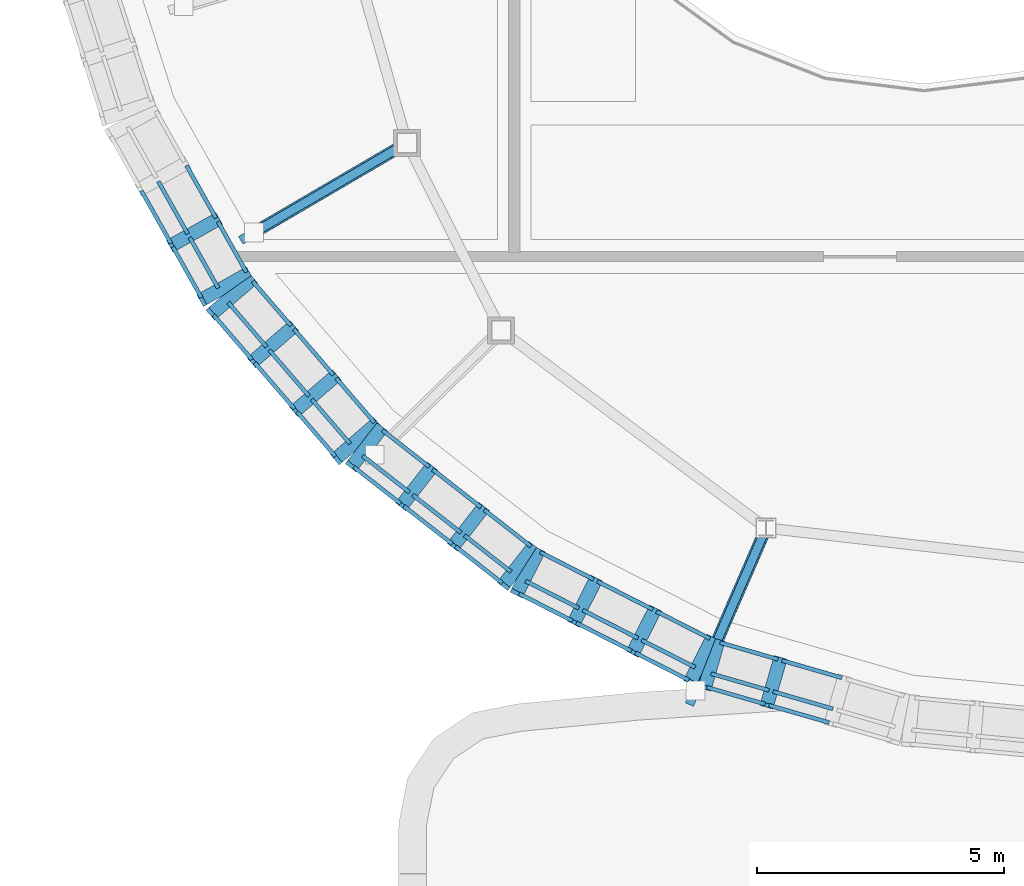
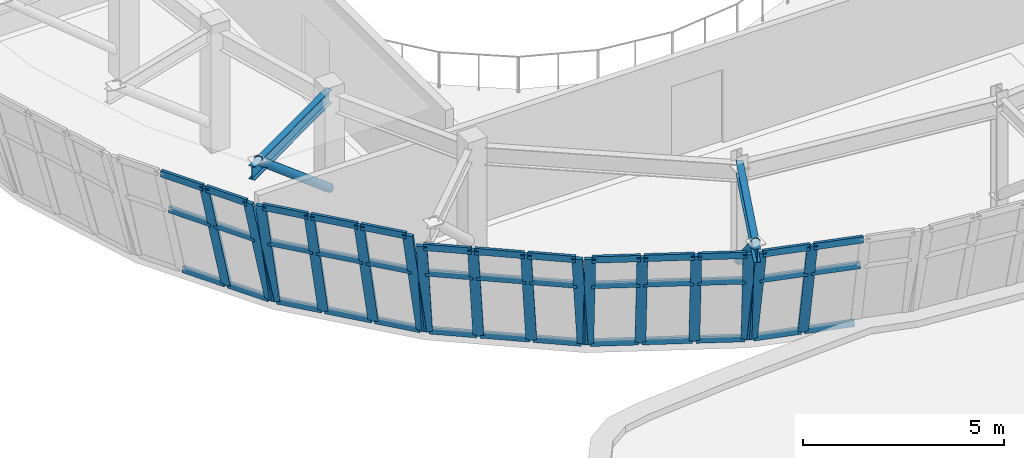
# One storey, part 18 of 111: 57 members, 2 beams, 5 elements without a shape of their own.
"""IFC4 building model written with IfcOpenShell, lengths in metres."""

from ifc_helpers import new_model, si_unit, direction, frame, origin, origin_2d, place, context, subcontext, project, spatial, rectangle, hollow_circle, i_section, extrude, material, material_profile, profile_set, type_object, element, aggregate, save


model = new_model("IFC4")

# Units and contexts
model_context = context("Model", 3, precision=1e-05, world=origin(), true_north=direction((0.0, 1.0)))
body_context = subcontext(model_context, "Body", "Model", "MODEL_VIEW")
ifc_project = project(units=[si_unit("LENGTHUNIT", "METRE"), si_unit("AREAUNIT", "SQUARE_METRE"), si_unit("VOLUMEUNIT", "CUBIC_METRE"), si_unit("PLANEANGLEUNIT", "RADIAN"), si_unit("MASSUNIT", "GRAM", prefix="KILO")], contexts=[model_context])

# Site, building, storey
site_placement = place(None, origin())
site = spatial("IfcSite", under=ifc_project, at=site_placement, CompositionType="ELEMENT")
building_placement = place(site_placement, origin())
building = spatial("IfcBuilding", under=site, at=building_placement, Name="Corveleigh Park Community Centre", CompositionType="ELEMENT")
storey_placement = place(building_placement, frame((0.0, 0.0, 4.800048828125)))
storey = spatial("IfcBuildingStorey", under=building, at=storey_placement, Name="L01", CompositionType="ELEMENT", Elevation=4.800048828125)

# Beams
ifc_material_1 = material(Name="Steel S355", Category="steel")
ifc_material_profile_1 = material_profile(ifc_material_1, i_section(OverallWidth=0.1787109375, OverallDepth=0.409423828125, WebThickness=0.0087890625, FlangeThickness=0.014404296875, at=origin_2d()), Name="UKB 406x178x67", Category="steel")
ifc_profile_set_1 = profile_set([ifc_material_profile_1], Name="Steel S355")
beam_type = type_object("IfcBeamType", Name="BM-STL-UKB406x67", PredefinedType="BEAM", material=ifc_profile_set_1)
beam_1_placement = place(storey_placement, frame((23.99609375, 11.390869140625, 3.482177734375), z_axis=(-0.398255557159, -0.917274501549, 0.0), x_axis=(0.917274501549, -0.398255557159, 0.0)))
element("IfcBeam", 1, at=beam_1_placement, inside=storey, type_object=beam_type, Name="V1 Drum Overhang Radial Outrigger 1", PredefinedType="BEAM", context=body_context, shape_type="SweptSolid", body=[
    extrude(i_section(OverallWidth=0.1787109375, OverallDepth=0.409423828125, WebThickness=0.0087890625, FlangeThickness=0.014404296875, at=origin_2d()), origin(), (0.0, 0.0, 1.0), 3.8896484375),
])
beam_2_placement = place(storey_placement, frame((16.71630859375, 19.19482421875, 3.482177734375), z_axis=(-0.862768775494, -0.505598694652, 0.0), x_axis=(0.505598694652, -0.862768775494, 0.0)))
element("IfcBeam", 2, at=beam_2_placement, inside=storey, type_object=beam_type, Name="V1 Drum Overhang Radial Outrigger 19", PredefinedType="BEAM", context=body_context, shape_type="SweptSolid", body=[
    extrude(i_section(OverallWidth=0.1787109375, OverallDepth=0.409423828125, WebThickness=0.0087890625, FlangeThickness=0.014404296875, at=origin_2d()), origin(), (0.0, 0.0, 1.0), 3.89013671875),
])

# Curtain wall, members
ifc_material_2 = material(Name="Anodised aluminium 6063-T6", Category="aluminium")
curtain_wall_type = type_object("IfcCurtainWallType", Name="CW-SYS-V1-DRUM", PredefinedType="NOTDEFINED", material=ifc_material_2)
curtain_wall_1_placement = place(storey_placement, origin())
curtain_wall_1 = element("IfcCurtainWall", 3, at=curtain_wall_1_placement, inside=storey, type_object=curtain_wall_type, Name="Main Hall Flared Drum CW 180", PredefinedType="NOTDEFINED")
ifc_material_profile_2 = material_profile(ifc_material_2, rectangle(XDim=0.0849609375, YDim=0.27490234375, at=origin_2d()), Name="ALU-M85x275", Category="aluminium")
ifc_profile_set_2 = profile_set([ifc_material_profile_2], Name="Anodised aluminium 6063-T6")
member_type_1 = type_object("IfcMemberType", Name="CWM-85x275", PredefinedType="MULLION", material=ifc_profile_set_2)
member_1_placement = place(storey_placement, frame((12.887939453125, 17.64892578125, 0.0), z_axis=(-0.247693281715, -0.138946728414, 0.958823156195), x_axis=(0.836235497404, 0.469097045116, 0.284003794242)))
member_1 = element("IfcMember", 4, at=member_1_placement, type_object=member_type_1, Name="CW02 mullion 3", PredefinedType="MULLION", context=body_context, shape_type="SweptSolid", body=[
    extrude(rectangle(XDim=0.0849609375, YDim=0.27490234375, at=origin_2d()), origin(), (0.0, 0.0, 1.0), 3.76708984375),
])
member_2_placement = place(storey_placement, frame((13.505126953125, 16.549072265625, 0.0), z_axis=(-0.247691050808, -0.139010283617, 0.958814520331), x_axis=(0.836134602223, 0.469259215534, 0.284032948092)))
member_2 = element("IfcMember", 5, at=member_2_placement, type_object=member_type_1, Name="CW02 mullion 4", PredefinedType="MULLION", context=body_context, shape_type="SweptSolid", body=[
    extrude(rectangle(XDim=0.0849609375, YDim=0.27490234375, at=origin_2d()), origin(), (0.0, 0.0, 1.0), 3.767333984375),
])

curtain_wall_2_placement = place(storey_placement, origin())
curtain_wall_2 = element("IfcCurtainWall", 6, at=curtain_wall_2_placement, inside=storey, type_object=curtain_wall_type, Name="Main Hall Flared Drum CW 181", PredefinedType="NOTDEFINED")
member_3_placement = place(storey_placement, frame((13.583740234375, 16.436767578125, 0.0), z_axis=(-0.215158554377, -0.185412236166, 0.95881650964), x_axis=(0.726332818597, 0.625915118676, 0.284026232665)))
member_3 = element("IfcMember", 7, at=member_3_placement, type_object=member_type_1, Name="CW02 mullion 1", PredefinedType="MULLION", context=body_context, shape_type="SweptSolid", body=[
    extrude(rectangle(XDim=0.0849609375, YDim=0.27490234375, at=origin_2d()), origin(), (0.0, 0.0, 1.0), 3.76708984375),
])
member_4_placement = place(storey_placement, frame((14.415283203125, 15.471923828125, 0.0), z_axis=(-0.215158554377, -0.185412236166, 0.95881650964), x_axis=(0.726332818597, 0.625915118676, 0.284026232665)))
member_4 = element("IfcMember", 8, at=member_4_placement, type_object=member_type_1, Name="CW02 mullion 2", PredefinedType="MULLION", context=body_context, shape_type="SweptSolid", body=[
    extrude(rectangle(XDim=0.0849609375, YDim=0.27490234375, at=origin_2d()), origin(), (0.0, 0.0, 1.0), 3.76708984375),
])
member_5_placement = place(storey_placement, frame((15.274658203125, 14.47509765625, 0.0), z_axis=(-0.215155968632, -0.185474813923, 0.958804986721), x_axis=(0.726215908551, 0.626033111528, 0.284065128867)))
member_5 = element("IfcMember", 9, at=member_5_placement, type_object=member_type_1, Name="CW02 mullion 3", PredefinedType="MULLION", context=body_context, shape_type="SweptSolid", body=[
    extrude(rectangle(XDim=0.0849609375, YDim=0.27490234375, at=origin_2d()), origin(), (0.0, 0.0, 1.0), 3.767333984375),
])
member_6_placement = place(storey_placement, frame((16.106201171875, 13.51025390625, 0.0), z_axis=(-0.215155968632, -0.185474813923, 0.958804986721), x_axis=(0.726215908551, 0.626033111528, 0.284065128867)))
member_6 = element("IfcMember", 10, at=member_6_placement, type_object=member_type_1, Name="CW02 mullion 4", PredefinedType="MULLION", context=body_context, shape_type="SweptSolid", body=[
    extrude(rectangle(XDim=0.0849609375, YDim=0.27490234375, at=origin_2d()), origin(), (0.0, 0.0, 1.0), 3.767333984375),
])

curtain_wall_3_placement = place(storey_placement, origin())
curtain_wall_3 = element("IfcCurtainWall", 11, at=curtain_wall_3_placement, inside=storey, type_object=curtain_wall_type, Name="Main Hall Flared Drum CW 182", PredefinedType="NOTDEFINED")
member_7_placement = place(storey_placement, frame((16.20458984375, 13.415771484375, 0.0), z_axis=(-0.174897080386, -0.223638889674, 0.958851739477), x_axis=(0.59068711366, 0.755304833861, 0.283907276592)))
member_7 = element("IfcMember", 12, at=member_7_placement, type_object=member_type_1, Name="CW02 mullion 1", PredefinedType="MULLION", context=body_context, shape_type="SweptSolid", body=[
    extrude(rectangle(XDim=0.0849609375, YDim=0.27490234375, at=origin_2d()), origin(), (0.0, 0.0, 1.0), 3.406005859375),
])
member_8_placement = place(storey_placement, frame((17.21826171875, 12.623291015625, 0.0), z_axis=(-0.17482759254, -0.223641692795, 0.958863757856), x_axis=(0.590544266874, 0.755431780503, 0.283866683268)))
member_8 = element("IfcMember", 13, at=member_8_placement, type_object=member_type_1, Name="CW02 mullion 2", PredefinedType="MULLION", context=body_context, shape_type="SweptSolid", body=[
    extrude(rectangle(XDim=0.0849609375, YDim=0.27490234375, at=origin_2d()), origin(), (0.0, 0.0, 1.0), 3.406005859375),
])
member_9_placement = place(storey_placement, frame((18.265625, 11.8046875, 0.0), z_axis=(-0.17482478956, -0.223709786067, 0.95884838456), x_axis=(0.59041733402, 0.755511479901, 0.283918607045)))
member_9 = element("IfcMember", 14, at=member_9_placement, type_object=member_type_1, Name="CW02 mullion 3", PredefinedType="MULLION", context=body_context, shape_type="SweptSolid", body=[
    extrude(rectangle(XDim=0.0849609375, YDim=0.27490234375, at=origin_2d()), origin(), (0.0, 0.0, 1.0), 3.406005859375),
])
member_10_placement = place(storey_placement, frame((19.279541015625, 11.01220703125, 0.0), z_axis=(-0.17482478956, -0.223709786067, 0.95884838456), x_axis=(0.59041733402, 0.755511479901, 0.283918607045)))
member_10 = element("IfcMember", 15, at=member_10_placement, type_object=member_type_1, Name="CW02 mullion 4", PredefinedType="MULLION", context=body_context, shape_type="SweptSolid", body=[
    extrude(rectangle(XDim=0.0849609375, YDim=0.27490234375, at=origin_2d()), origin(), (0.0, 0.0, 1.0), 3.406005859375),
])

curtain_wall_4_placement = place(storey_placement, origin())
curtain_wall_4 = element("IfcCurtainWall", 16, at=curtain_wall_4_placement, inside=storey, type_object=curtain_wall_type, Name="Main Hall Flared Drum CW 183", PredefinedType="NOTDEFINED")
member_11_placement = place(storey_placement, frame((19.392822265625, 10.940673828125, 0.0), z_axis=(-0.128809036941, -0.252958871099, 0.958863932753), x_axis=(0.43510071475, 0.85446322891, 0.283866092489)))
member_11 = element("IfcMember", 17, at=member_11_placement, type_object=member_type_1, Name="CW02 mullion 1", PredefinedType="MULLION", context=body_context, shape_type="SweptSolid", body=[
    extrude(rectangle(XDim=0.0849609375, YDim=0.27490234375, at=origin_2d()), origin(), (0.0, 0.0, 1.0), 3.406005859375),
])
member_12_placement = place(storey_placement, frame((20.55078125, 10.35107421875, 0.0), z_axis=(-0.128877189627, -0.253023625909, 0.958837689458), x_axis=(0.435183134097, 0.854391803872, 0.283954723987)))
member_12 = element("IfcMember", 18, at=member_12_placement, type_object=member_type_1, Name="CW02 mullion 2", PredefinedType="MULLION", context=body_context, shape_type="SweptSolid", body=[
    extrude(rectangle(XDim=0.0849609375, YDim=0.27490234375, at=origin_2d()), origin(), (0.0, 0.0, 1.0), 3.406005859375),
])
member_13_placement = place(storey_placement, frame((21.746337890625, 9.741943359375, 0.0), z_axis=(-0.128879526709, -0.252956534902, 0.958855077186), x_axis=(0.435288932885, 0.854357421664, 0.283896003766)))
member_13 = element("IfcMember", 19, at=member_13_placement, type_object=member_type_1, Name="CW02 mullion 3", PredefinedType="MULLION", context=body_context, shape_type="SweptSolid", body=[
    extrude(rectangle(XDim=0.0849609375, YDim=0.27490234375, at=origin_2d()), origin(), (0.0, 0.0, 1.0), 3.406005859375),
])
member_14_placement = place(storey_placement, frame((22.904052734375, 9.15234375, 0.0), z_axis=(-0.128806701095, -0.25302596264, 0.958846544544), x_axis=(0.434994939137, 0.854497571037, 0.283924821065)))
member_14 = element("IfcMember", 20, at=member_14_placement, type_object=member_type_1, Name="CW02 mullion 4", PredefinedType="MULLION", context=body_context, shape_type="SweptSolid", body=[
    extrude(rectangle(XDim=0.0849609375, YDim=0.27490234375, at=origin_2d()), origin(), (0.0, 0.0, 1.0), 3.406005859375),
])

curtain_wall_5_placement = place(storey_placement, origin())
curtain_wall_5 = element("IfcCurtainWall", 21, at=curtain_wall_5_placement, inside=storey, type_object=curtain_wall_type, Name="Main Hall Flared Drum CW 184", PredefinedType="NOTDEFINED")
member_15_placement = place(storey_placement, frame((23.02880859375, 9.103271484375, 0.0), z_axis=(-0.078774265043, -0.272806963379, 0.958838347115), x_axis=(0.266001479913, 0.921202577386, 0.283952503249)))
member_15 = element("IfcMember", 22, at=member_15_placement, type_object=member_type_1, Name="CW02 mullion 1", PredefinedType="MULLION", context=body_context, shape_type="SweptSolid", body=[
    extrude(rectangle(XDim=0.0849609375, YDim=0.27490234375, at=origin_2d()), origin(), (0.0, 0.0, 1.0), 3.406005859375),
])
member_16_placement = place(storey_placement, frame((24.284912109375, 8.740234375, 0.0), z_axis=(-0.078775805261, -0.27274061785, 0.958857094608), x_axis=(0.266071208259, 0.92120195398, 0.283889189861)))
member_16 = element("IfcMember", 23, at=member_16_placement, type_object=member_type_1, Name="CW02 mullion 2", PredefinedType="MULLION", context=body_context, shape_type="SweptSolid", body=[
    extrude(rectangle(XDim=0.0849609375, YDim=0.27490234375, at=origin_2d()), origin(), (0.0, 0.0, 1.0), 3.406005859375),
])

# Member
ifc_material_profile_3 = material_profile(ifc_material_2, rectangle(XDim=0.080078125, YDim=0.195068359375, at=origin_2d()), Name="ALU-T80x195", Category="aluminium")
ifc_profile_set_3 = profile_set([ifc_material_profile_3], Name="Anodised aluminium 6063-T6")
member_type_2 = type_object("IfcMemberType", Name="CWT-80x195", PredefinedType="USERDEFINED", material=ifc_profile_set_3)
member_17_placement = place(storey_placement, frame((12.260498046875, 18.7431640625, 0.0400390625), z_axis=(0.489329007134, -0.872099261998, 0.0), x_axis=(0.872099261998, 0.489329007134, 0.0)))
member_17 = element("IfcMember", 24, at=member_17_placement, type_object=member_type_2, Name="CW02 transom 2.1", ObjectType="TRANSOM", PredefinedType="USERDEFINED", context=body_context, shape_type="SweptSolid", body=[
    extrude(rectangle(XDim=0.080078125, YDim=0.195068359375, at=origin_2d()), origin(), (0.0, 0.0, 1.0), 1.218994140625),
])

member_18_placement = place(storey_placement, frame((11.689453125, 18.4228515625, 2.25), z_axis=(0.489329007134, -0.872099261998, 0.0), x_axis=(0.872099261998, 0.489329007134, 0.0)))
member_18 = element("IfcMember", 25, at=member_18_placement, type_object=member_type_2, Name="CW02 transom 2.2", ObjectType="TRANSOM", PredefinedType="USERDEFINED", context=body_context, shape_type="SweptSolid", body=[
    extrude(rectangle(XDim=0.080078125, YDim=0.195068359375, at=origin_2d()), origin(), (0.0, 0.0, 1.0), 1.218994140625),
])

member_19_placement = place(storey_placement, frame((11.347900390625, 18.231201171875, 3.572021484375), z_axis=(0.489329007134, -0.872099261998, 0.0), x_axis=(0.872099261998, 0.489329007134, 0.0)))
member_19 = element("IfcMember", 26, at=member_19_placement, type_object=member_type_2, Name="CW02 transom 2.3", ObjectType="TRANSOM", PredefinedType="USERDEFINED", context=body_context, shape_type="SweptSolid", body=[
    extrude(rectangle(XDim=0.080078125, YDim=0.195068359375, at=origin_2d()), origin(), (0.0, 0.0, 1.0), 1.218994140625),
])

member_20_placement = place(storey_placement, frame((12.8984375, 17.606201171875, 0.0400390625), z_axis=(0.489374177373, -0.872073915743, 0.0), x_axis=(0.872073915743, 0.489374177373, 0.0)))
member_20 = element("IfcMember", 27, at=member_20_placement, type_object=member_type_2, Name="CW02 transom 3.1", ObjectType="TRANSOM", PredefinedType="USERDEFINED", context=body_context, shape_type="SweptSolid", body=[
    extrude(rectangle(XDim=0.080078125, YDim=0.195068359375, at=origin_2d()), origin(), (0.0, 0.0, 1.0), 1.17626953125),
])

member_21_placement = place(storey_placement, frame((12.32763671875, 17.285888671875, 2.25), z_axis=(0.489216318136, -0.872162481462, 0.0), x_axis=(0.872162481462, 0.489216318136, 0.0)))
member_21 = element("IfcMember", 28, at=member_21_placement, type_object=member_type_2, Name="CW02 transom 3.2", ObjectType="TRANSOM", PredefinedType="USERDEFINED", context=body_context, shape_type="SweptSolid", body=[
    extrude(rectangle(XDim=0.080078125, YDim=0.195068359375, at=origin_2d()), origin(), (0.0, 0.0, 1.0), 1.17626953125),
])

member_22_placement = place(storey_placement, frame((11.986083984375, 17.09423828125, 3.572021484375), z_axis=(0.489216318136, -0.872162481462, 0.0), x_axis=(0.872162481462, 0.489216318136, 0.0)))
member_22 = element("IfcMember", 29, at=member_22_placement, type_object=member_type_2, Name="CW02 transom 3.3", ObjectType="TRANSOM", PredefinedType="USERDEFINED", context=body_context, shape_type="SweptSolid", body=[
    extrude(rectangle(XDim=0.080078125, YDim=0.195068359375, at=origin_2d()), origin(), (0.0, 0.0, 1.0), 1.17626953125),
])

aggregate(curtain_wall_1, [member_1, member_2, member_17, member_18, member_19, member_20, member_21, member_22])

member_23_placement = place(storey_placement, frame((13.6025390625, 16.39697265625, 0.0400390625), z_axis=(0.652801498532, -0.757529011665, 0.0), x_axis=(0.757529011665, 0.652801498532, 0.0)))
member_23 = element("IfcMember", 30, at=member_23_placement, type_object=member_type_2, Name="CW02 transom 1.1", ObjectType="TRANSOM", PredefinedType="USERDEFINED", context=body_context, shape_type="SweptSolid", body=[
    extrude(rectangle(XDim=0.080078125, YDim=0.195068359375, at=origin_2d()), origin(), (0.0, 0.0, 1.0), 1.18896484375),
])

member_24_placement = place(storey_placement, frame((13.106689453125, 15.969482421875, 2.25), z_axis=(0.652903056382, -0.757441482207, 0.0), x_axis=(0.757441482207, 0.652903056382, 0.0)))
member_24 = element("IfcMember", 31, at=member_24_placement, type_object=member_type_2, Name="CW02 transom 1.2", ObjectType="TRANSOM", PredefinedType="USERDEFINED", context=body_context, shape_type="SweptSolid", body=[
    extrude(rectangle(XDim=0.080078125, YDim=0.195068359375, at=origin_2d()), origin(), (0.0, 0.0, 1.0), 1.188720703125),
])

member_25_placement = place(storey_placement, frame((12.81005859375, 15.7138671875, 3.572021484375), z_axis=(0.652801498532, -0.757529011665, 0.0), x_axis=(0.757529011665, 0.652801498532, 0.0)))
member_25 = element("IfcMember", 32, at=member_25_placement, type_object=member_type_2, Name="CW02 transom 1.3", ObjectType="TRANSOM", PredefinedType="USERDEFINED", context=body_context, shape_type="SweptSolid", body=[
    extrude(rectangle(XDim=0.080078125, YDim=0.195068359375, at=origin_2d()), origin(), (0.0, 0.0, 1.0), 1.18896484375),
])

member_26_placement = place(storey_placement, frame((14.43408203125, 15.43212890625, 0.0400390625), z_axis=(0.65292785518, -0.757420105311, 0.0), x_axis=(0.757420105311, 0.65292785518, 0.0)))
member_26 = element("IfcMember", 33, at=member_26_placement, type_object=member_type_2, Name="CW02 transom 2.1", ObjectType="TRANSOM", PredefinedType="USERDEFINED", context=body_context, shape_type="SweptSolid", body=[
    extrude(rectangle(XDim=0.080078125, YDim=0.195068359375, at=origin_2d()), origin(), (0.0, 0.0, 1.0), 1.231201171875),
])

member_27_placement = place(storey_placement, frame((13.938232421875, 15.004638671875, 2.25), z_axis=(0.65281408421, -0.75751816576, 0.0), x_axis=(0.75751816576, 0.65281408421, 0.0)))
member_27 = element("IfcMember", 34, at=member_27_placement, type_object=member_type_2, Name="CW02 transom 2.2", ObjectType="TRANSOM", PredefinedType="USERDEFINED", context=body_context, shape_type="SweptSolid", body=[
    extrude(rectangle(XDim=0.080078125, YDim=0.195068359375, at=origin_2d()), origin(), (0.0, 0.0, 1.0), 1.231201171875),
])

member_28_placement = place(storey_placement, frame((13.6416015625, 14.7490234375, 3.572021484375), z_axis=(0.65281408421, -0.75751816576, 0.0), x_axis=(0.75751816576, 0.65281408421, 0.0)))
member_28 = element("IfcMember", 35, at=member_28_placement, type_object=member_type_2, Name="CW02 transom 2.3", ObjectType="TRANSOM", PredefinedType="USERDEFINED", context=body_context, shape_type="SweptSolid", body=[
    extrude(rectangle(XDim=0.080078125, YDim=0.195068359375, at=origin_2d()), origin(), (0.0, 0.0, 1.0), 1.231201171875),
])

member_29_placement = place(storey_placement, frame((15.29345703125, 14.43505859375, 0.0400390625), z_axis=(0.652903056382, -0.757441482207, 0.0), x_axis=(0.757441482207, 0.652903056382, 0.0)))
member_29 = element("IfcMember", 36, at=member_29_placement, type_object=member_type_2, Name="CW02 transom 3.1", ObjectType="TRANSOM", PredefinedType="USERDEFINED", context=body_context, shape_type="SweptSolid", body=[
    extrude(rectangle(XDim=0.080078125, YDim=0.195068359375, at=origin_2d()), origin(), (0.0, 0.0, 1.0), 1.188720703125),
])

member_30_placement = place(storey_placement, frame((14.797607421875, 14.007568359375, 2.25), z_axis=(0.652903056382, -0.757441482207, 0.0), x_axis=(0.757441482207, 0.652903056382, 0.0)))
member_30 = element("IfcMember", 37, at=member_30_placement, type_object=member_type_2, Name="CW02 transom 3.2", ObjectType="TRANSOM", PredefinedType="USERDEFINED", context=body_context, shape_type="SweptSolid", body=[
    extrude(rectangle(XDim=0.080078125, YDim=0.195068359375, at=origin_2d()), origin(), (0.0, 0.0, 1.0), 1.188720703125),
])

member_31_placement = place(storey_placement, frame((14.5009765625, 13.751953125, 3.572021484375), z_axis=(0.652903056382, -0.757441482207, 0.0), x_axis=(0.757441482207, 0.652903056382, 0.0)))
member_31 = element("IfcMember", 38, at=member_31_placement, type_object=member_type_2, Name="CW02 transom 3.3", ObjectType="TRANSOM", PredefinedType="USERDEFINED", context=body_context, shape_type="SweptSolid", body=[
    extrude(rectangle(XDim=0.080078125, YDim=0.195068359375, at=origin_2d()), origin(), (0.0, 0.0, 1.0), 1.188720703125),
])

aggregate(curtain_wall_2, [member_3, member_4, member_5, member_6, member_23, member_24, member_25, member_26, member_27, member_28, member_29, member_30, member_31])

member_32_placement = place(storey_placement, frame((16.230712890625, 13.38037109375, 0.0400390625), z_axis=(0.787796412937, -0.615935720481, 0.0), x_axis=(0.615935720481, 0.787796412937, 0.0)))
member_32 = element("IfcMember", 39, at=member_32_placement, type_object=member_type_2, Name="CW02 transom 1.1", ObjectType="TRANSOM", PredefinedType="USERDEFINED", context=body_context, shape_type="SweptSolid", body=[
    extrude(rectangle(XDim=0.080078125, YDim=0.195068359375, at=origin_2d()), origin(), (0.0, 0.0, 1.0), 1.201904296875),
])

member_33_placement = place(storey_placement, frame((15.82763671875, 12.86474609375, 2.25), z_axis=(0.787972015739, -0.61571105432, 0.0), x_axis=(0.61571105432, 0.787972015739, 0.0)))
member_33 = element("IfcMember", 40, at=member_33_placement, type_object=member_type_2, Name="CW02 transom 1.2", ObjectType="TRANSOM", PredefinedType="USERDEFINED", context=body_context, shape_type="SweptSolid", body=[
    extrude(rectangle(XDim=0.080078125, YDim=0.195068359375, at=origin_2d()), origin(), (0.0, 0.0, 1.0), 1.201904296875),
])

member_34_placement = place(storey_placement, frame((15.649658203125, 12.63720703125, 3.225830078125), z_axis=(0.787873462952, -0.615837158977, 0.0), x_axis=(0.615837158977, 0.787873462952, 0.0)))
member_34 = element("IfcMember", 41, at=member_34_placement, type_object=member_type_2, Name="CW02 transom 1.3", ObjectType="TRANSOM", PredefinedType="USERDEFINED", context=body_context, shape_type="SweptSolid", body=[
    extrude(rectangle(XDim=0.080078125, YDim=0.195068359375, at=origin_2d()), origin(), (0.0, 0.0, 1.0), 1.201904296875),
])

member_35_placement = place(storey_placement, frame((17.24462890625, 12.587890625, 0.0400390625), z_axis=(0.787807166322, -0.615921966398, 0.0), x_axis=(0.615921966398, 0.787807166322, 0.0)))
member_35 = element("IfcMember", 42, at=member_35_placement, type_object=member_type_2, Name="CW02 transom 2.1", ObjectType="TRANSOM", PredefinedType="USERDEFINED", context=body_context, shape_type="SweptSolid", body=[
    extrude(rectangle(XDim=0.080078125, YDim=0.195068359375, at=origin_2d()), origin(), (0.0, 0.0, 1.0), 1.244140625),
])

member_36_placement = place(storey_placement, frame((16.841552734375, 12.072265625, 2.25), z_axis=(0.787881585535, -0.61582676718, 0.0), x_axis=(0.61582676718, 0.787881585535, 0.0)))
member_36 = element("IfcMember", 43, at=member_36_placement, type_object=member_type_2, Name="CW02 transom 2.2", ObjectType="TRANSOM", PredefinedType="USERDEFINED", context=body_context, shape_type="SweptSolid", body=[
    extrude(rectangle(XDim=0.080078125, YDim=0.195068359375, at=origin_2d()), origin(), (0.0, 0.0, 1.0), 1.244384765625),
])

member_37_placement = place(storey_placement, frame((16.66357421875, 11.8447265625, 3.225830078125), z_axis=(0.787881585535, -0.61582676718, 0.0), x_axis=(0.61582676718, 0.787881585535, 0.0)))
member_37 = element("IfcMember", 44, at=member_37_placement, type_object=member_type_2, Name="CW02 transom 2.3", ObjectType="TRANSOM", PredefinedType="USERDEFINED", context=body_context, shape_type="SweptSolid", body=[
    extrude(rectangle(XDim=0.080078125, YDim=0.195068359375, at=origin_2d()), origin(), (0.0, 0.0, 1.0), 1.244384765625),
])

member_38_placement = place(storey_placement, frame((18.291748046875, 11.76904296875, 0.0400390625), z_axis=(0.787972015739, -0.61571105432, 0.0), x_axis=(0.61571105432, 0.787972015739, 0.0)))
member_38 = element("IfcMember", 45, at=member_38_placement, type_object=member_type_2, Name="CW02 transom 3.1", ObjectType="TRANSOM", PredefinedType="USERDEFINED", context=body_context, shape_type="SweptSolid", body=[
    extrude(rectangle(XDim=0.080078125, YDim=0.195068359375, at=origin_2d()), origin(), (0.0, 0.0, 1.0), 1.201904296875),
])

member_39_placement = place(storey_placement, frame((17.888916015625, 11.253662109375, 2.25), z_axis=(0.787796412937, -0.615935720481, 0.0), x_axis=(0.615935720481, 0.787796412937, 0.0)))
member_39 = element("IfcMember", 46, at=member_39_placement, type_object=member_type_2, Name="CW02 transom 3.2", ObjectType="TRANSOM", PredefinedType="USERDEFINED", context=body_context, shape_type="SweptSolid", body=[
    extrude(rectangle(XDim=0.080078125, YDim=0.195068359375, at=origin_2d()), origin(), (0.0, 0.0, 1.0), 1.201904296875),
])

member_40_placement = place(storey_placement, frame((17.7109375, 11.02587890625, 3.225830078125), z_axis=(0.787894987637, -0.615809620301, 0.0), x_axis=(0.615809620301, 0.787894987637, 0.0)))
member_40 = element("IfcMember", 47, at=member_40_placement, type_object=member_type_2, Name="CW02 transom 3.3", ObjectType="TRANSOM", PredefinedType="USERDEFINED", context=body_context, shape_type="SweptSolid", body=[
    extrude(rectangle(XDim=0.080078125, YDim=0.195068359375, at=origin_2d()), origin(), (0.0, 0.0, 1.0), 1.20166015625),
])

aggregate(curtain_wall_3, [member_7, member_8, member_9, member_10, member_32, member_33, member_34, member_35, member_36, member_37, member_38, member_39, member_40])

member_41_placement = place(storey_placement, frame((19.42529296875, 10.910888671875, 0.0400390625), z_axis=(0.891024153867, -0.453955897886, 0.0), x_axis=(0.453955897886, 0.891024153867, 0.0)))
member_41 = element("IfcMember", 48, at=member_41_placement, type_object=member_type_2, Name="CW02 transom 1.1", ObjectType="TRANSOM", PredefinedType="USERDEFINED", context=body_context, shape_type="SweptSolid", body=[
    extrude(rectangle(XDim=0.080078125, YDim=0.195068359375, at=origin_2d()), origin(), (0.0, 0.0, 1.0), 1.21435546875),
])

member_42_placement = place(storey_placement, frame((19.12841796875, 10.327880859375, 2.25), z_axis=(0.891024153867, -0.453955897886, 0.0), x_axis=(0.453955897886, 0.891024153867, 0.0)))
member_42 = element("IfcMember", 49, at=member_42_placement, type_object=member_type_2, Name="CW02 transom 1.2", ObjectType="TRANSOM", PredefinedType="USERDEFINED", context=body_context, shape_type="SweptSolid", body=[
    extrude(rectangle(XDim=0.080078125, YDim=0.195068359375, at=origin_2d()), origin(), (0.0, 0.0, 1.0), 1.21435546875),
])

member_43_placement = place(storey_placement, frame((18.997314453125, 10.0703125, 3.225830078125), z_axis=(0.891105466146, -0.453796262882, 0.0), x_axis=(0.453796262882, 0.891105466146, 0.0)))
member_43 = element("IfcMember", 50, at=member_43_placement, type_object=member_type_2, Name="CW02 transom 1.3", ObjectType="TRANSOM", PredefinedType="USERDEFINED", context=body_context, shape_type="SweptSolid", body=[
    extrude(rectangle(XDim=0.080078125, YDim=0.195068359375, at=origin_2d()), origin(), (0.0, 0.0, 1.0), 1.21435546875),
])

member_44_placement = place(storey_placement, frame((20.583251953125, 10.321044921875, 0.0400390625), z_axis=(0.89110027264, -0.453806461061, 0.0), x_axis=(0.453806461061, 0.89110027264, 0.0)))
member_44 = element("IfcMember", 51, at=member_44_placement, type_object=member_type_2, Name="CW02 transom 2.1", ObjectType="TRANSOM", PredefinedType="USERDEFINED", context=body_context, shape_type="SweptSolid", body=[
    extrude(rectangle(XDim=0.080078125, YDim=0.195068359375, at=origin_2d()), origin(), (0.0, 0.0, 1.0), 1.2568359375),
])

member_45_placement = place(storey_placement, frame((20.2861328125, 9.738037109375, 2.25), z_axis=(0.89110027264, -0.453806461061, 0.0), x_axis=(0.453806461061, 0.89110027264, 0.0)))
member_45 = element("IfcMember", 52, at=member_45_placement, type_object=member_type_2, Name="CW02 transom 2.2", ObjectType="TRANSOM", PredefinedType="USERDEFINED", context=body_context, shape_type="SweptSolid", body=[
    extrude(rectangle(XDim=0.080078125, YDim=0.195068359375, at=origin_2d()), origin(), (0.0, 0.0, 1.0), 1.2568359375),
])

member_46_placement = place(storey_placement, frame((20.155029296875, 9.480712890625, 3.225830078125), z_axis=(0.891021707372, -0.453960699832, 0.0), x_axis=(0.453960699832, 0.891021707372, 0.0)))
member_46 = element("IfcMember", 53, at=member_46_placement, type_object=member_type_2, Name="CW02 transom 2.3", ObjectType="TRANSOM", PredefinedType="USERDEFINED", context=body_context, shape_type="SweptSolid", body=[
    extrude(rectangle(XDim=0.080078125, YDim=0.195068359375, at=origin_2d()), origin(), (0.0, 0.0, 1.0), 1.2568359375),
])

member_47_placement = place(storey_placement, frame((21.77880859375, 9.712158203125, 0.0400390625), z_axis=(0.891105466146, -0.453796262882, 0.0), x_axis=(0.453796262882, 0.891105466146, 0.0)))
member_47 = element("IfcMember", 54, at=member_47_placement, type_object=member_type_2, Name="CW02 transom 3.1", ObjectType="TRANSOM", PredefinedType="USERDEFINED", context=body_context, shape_type="SweptSolid", body=[
    extrude(rectangle(XDim=0.080078125, YDim=0.195068359375, at=origin_2d()), origin(), (0.0, 0.0, 1.0), 1.21435546875),
])

member_48_placement = place(storey_placement, frame((21.48193359375, 9.129150390625, 2.25), z_axis=(0.891024153867, -0.453955897886, 0.0), x_axis=(0.453955897886, 0.891024153867, 0.0)))
member_48 = element("IfcMember", 55, at=member_48_placement, type_object=member_type_2, Name="CW02 transom 3.2", ObjectType="TRANSOM", PredefinedType="USERDEFINED", context=body_context, shape_type="SweptSolid", body=[
    extrude(rectangle(XDim=0.080078125, YDim=0.195068359375, at=origin_2d()), origin(), (0.0, 0.0, 1.0), 1.21435546875),
])

member_49_placement = place(storey_placement, frame((21.3505859375, 8.87158203125, 3.225830078125), z_axis=(0.891146859868, -0.453714970161, 0.0), x_axis=(0.453714970161, 0.891146859868, 0.0)))
member_49 = element("IfcMember", 56, at=member_49_placement, type_object=member_type_2, Name="CW02 transom 3.3", ObjectType="TRANSOM", PredefinedType="USERDEFINED", context=body_context, shape_type="SweptSolid", body=[
    extrude(rectangle(XDim=0.080078125, YDim=0.195068359375, at=origin_2d()), origin(), (0.0, 0.0, 1.0), 1.21435546875),
])

aggregate(curtain_wall_4, [member_11, member_12, member_13, member_14, member_41, member_42, member_43, member_44, member_45, member_46, member_47, member_48, member_49])

member_50_placement = place(storey_placement, frame((23.06640625, 9.080078125, 0.0400390625), z_axis=(0.960705899943, -0.277568322786, 0.0), x_axis=(0.277568322786, 0.960705899943, 0.0)))
member_50 = element("IfcMember", 57, at=member_50_placement, type_object=member_type_2, Name="CW02 transom 1.1", ObjectType="TRANSOM", PredefinedType="USERDEFINED", context=body_context, shape_type="SweptSolid", body=[
    extrude(rectangle(XDim=0.080078125, YDim=0.195068359375, at=origin_2d()), origin(), (0.0, 0.0, 1.0), 1.22265625),
])

member_51_placement = place(storey_placement, frame((22.884765625, 8.451416015625, 2.25), z_axis=(0.960705899943, -0.277568322786, 0.0), x_axis=(0.277568322786, 0.960705899943, 0.0)))
member_51 = element("IfcMember", 58, at=member_51_placement, type_object=member_type_2, Name="CW02 transom 1.2", ObjectType="TRANSOM", PredefinedType="USERDEFINED", context=body_context, shape_type="SweptSolid", body=[
    extrude(rectangle(XDim=0.080078125, YDim=0.195068359375, at=origin_2d()), origin(), (0.0, 0.0, 1.0), 1.22265625),
])

member_52_placement = place(storey_placement, frame((22.8046875, 8.173828125, 3.225830078125), z_axis=(0.960690510607, -0.277621582067, 0.0), x_axis=(0.277621582067, 0.960690510607, 0.0)))
member_52 = element("IfcMember", 59, at=member_52_placement, type_object=member_type_2, Name="CW02 transom 1.3", ObjectType="TRANSOM", PredefinedType="USERDEFINED", context=body_context, shape_type="SweptSolid", body=[
    extrude(rectangle(XDim=0.080078125, YDim=0.195068359375, at=origin_2d()), origin(), (0.0, 0.0, 1.0), 1.222412109375),
])

member_53_placement = place(storey_placement, frame((24.322509765625, 8.717041015625, 0.0400390625), z_axis=(0.960718756836, -0.277523819271, 0.0), x_axis=(0.277523819271, 0.960718756836, 0.0)))
member_53 = element("IfcMember", 60, at=member_53_placement, type_object=member_type_2, Name="CW02 transom 2.1", ObjectType="TRANSOM", PredefinedType="USERDEFINED", context=body_context, shape_type="SweptSolid", body=[
    extrude(rectangle(XDim=0.080078125, YDim=0.195068359375, at=origin_2d()), origin(), (0.0, 0.0, 1.0), 1.26513671875),
])

member_54_placement = place(storey_placement, frame((24.140869140625, 8.088623046875, 2.25), z_axis=(0.960718756836, -0.277523819271, 0.0), x_axis=(0.277523819271, 0.960718756836, 0.0)))
member_54 = element("IfcMember", 61, at=member_54_placement, type_object=member_type_2, Name="CW02 transom 2.2", ObjectType="TRANSOM", PredefinedType="USERDEFINED", context=body_context, shape_type="SweptSolid", body=[
    extrude(rectangle(XDim=0.080078125, YDim=0.195068359375, at=origin_2d()), origin(), (0.0, 0.0, 1.0), 1.26513671875),
])

member_55_placement = place(storey_placement, frame((24.060791015625, 7.810791015625, 3.225830078125), z_axis=(0.960718756836, -0.277523819271, 0.0), x_axis=(0.277523819271, 0.960718756836, 0.0)))
member_55 = element("IfcMember", 62, at=member_55_placement, type_object=member_type_2, Name="CW02 transom 2.3", ObjectType="TRANSOM", PredefinedType="USERDEFINED", context=body_context, shape_type="SweptSolid", body=[
    extrude(rectangle(XDim=0.080078125, YDim=0.195068359375, at=origin_2d()), origin(), (0.0, 0.0, 1.0), 1.26513671875),
])

aggregate(curtain_wall_5, [member_15, member_16, member_50, member_51, member_52, member_53, member_54, member_55])

# Members
ifc_material_profile_4 = material_profile(ifc_material_1, hollow_circle(Radius=0.122314453125, WallThickness=0.012451171875, at=origin_2d()), Name="CHS 244.5x12.5", Category="steel")
ifc_profile_set_4 = profile_set([ifc_material_profile_4], Name="Steel S355")
member_type_3 = type_object("IfcMemberType", Name="MEM-STR-CHS245", PredefinedType="STRUT", material=ifc_profile_set_4)
member_56_placement = place(storey_placement, frame((24.0, 11.39990234375, 0.64990234375), z_axis=(-0.304282598437, -0.700790949416, 0.645216355578), x_axis=(0.917265754926, -0.398275702046, 0.0)))
element("IfcMember", 63, at=member_56_placement, inside=storey, type_object=member_type_3, Name="V1 Conical Overhang Raking Strut 1", PredefinedType="STRUT", context=body_context, shape_type="SweptSolid", body=[
    extrude(hollow_circle(Radius=0.122314453125, WallThickness=0.012451171875, at=origin_2d()), origin(), (0.0, 0.0, 1.0), 4.696044921875),
])
member_57_placement = place(storey_placement, frame((16.72509765625, 19.199951171875, 0.64990234375), z_axis=(-0.659242585969, -0.38623028022, 0.645155317336), x_axis=(0.505502974693, -0.862824862053, 0.0)))
element("IfcMember", 64, at=member_57_placement, inside=storey, type_object=member_type_3, Name="V1 Conical Overhang Raking Strut 19", PredefinedType="STRUT", context=body_context, shape_type="SweptSolid", body=[
    extrude(hollow_circle(Radius=0.122314453125, WallThickness=0.012451171875, at=origin_2d()), origin(), (0.0, 0.0, 1.0), 4.696533203125),
])

save(model, "model.ifc")
